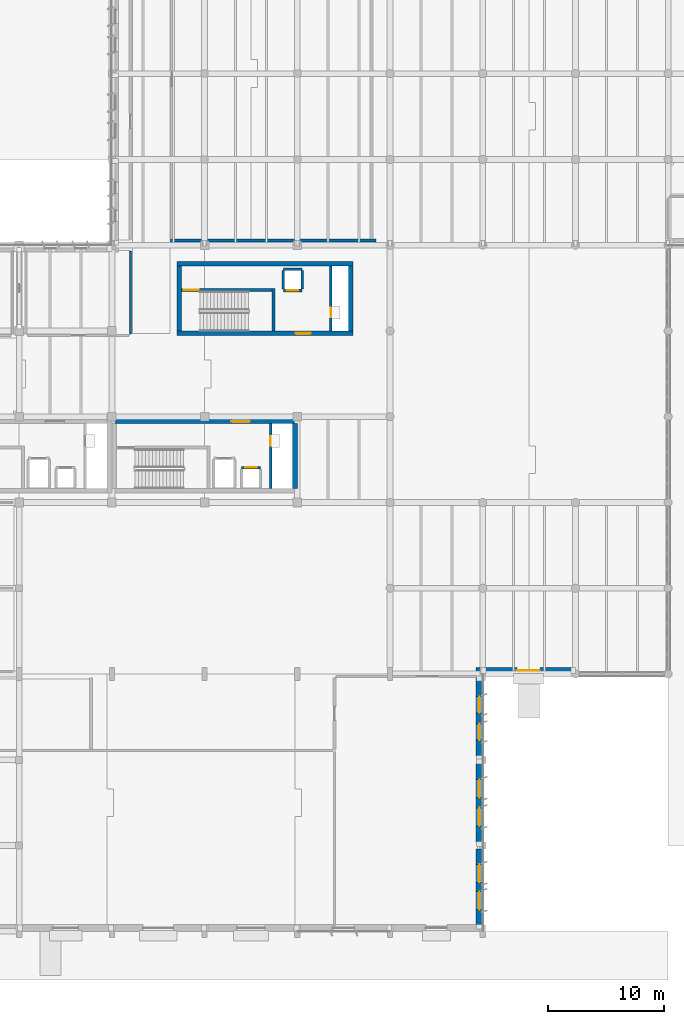
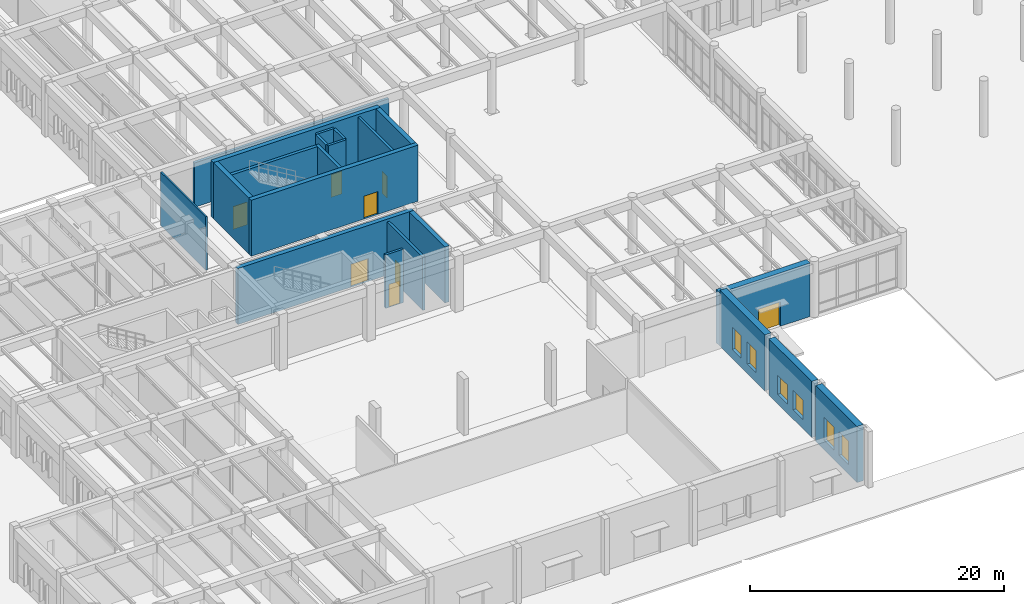
# One storey, part 19 of 56: 21 walls, 8 doors, 6 windows, 14 openings.
"""IFC4 building model written with IfcOpenShell, lengths in metres."""

from ifc_helpers import new_model, si_unit, direction, frame, frame_2d, origin, place, context, subcontext, project, spatial, rectangle, extrude, material, layer, layer_set, type_object, element, fill, save


model = new_model("IFC4")

# Units and contexts
model_context = context("Model", 3, precision=1e-05, world=origin(), true_north=direction((0.0, 1.0)))
body_context = subcontext(model_context, "Body", "Model", "MODEL_VIEW")
ifc_project = project(units=[si_unit("LENGTHUNIT", "METRE"), si_unit("AREAUNIT", "SQUARE_METRE"), si_unit("VOLUMEUNIT", "CUBIC_METRE"), si_unit("PLANEANGLEUNIT", "RADIAN"), si_unit("MASSUNIT", "GRAM", prefix="KILO")], contexts=[model_context])

# Site, building, storey
site_placement = place(None, origin())
site = spatial("IfcSite", under=ifc_project, at=site_placement, CompositionType="ELEMENT")
building_placement = place(site_placement, origin())
building = spatial("IfcBuilding", under=site, at=building_placement, Name="Valkorina Park Police Headquarters", CompositionType="ELEMENT")
storey_placement = place(building_placement, origin())
storey = spatial("IfcBuildingStorey", under=building, at=storey_placement, Name="L01", CompositionType="ELEMENT", Elevation=0.0)

# Wall
ifc_material_1 = material(Name="Acoustic mineral board")
ifc_layer_1 = layer(ifc_material_1, 0.14990234375)
ifc_layer_set_1 = layer_set([ifc_layer_1], Name="Acoustic mineral board")
wall_type_1 = type_object("IfcWallType", Name="WL-ACOUST-150-EI30", PredefinedType="PARTITIONING", material=ifc_layer_set_1)
wall_1_placement = place(storey_placement, frame((34.39990234375, 51.5400390625, 0.0), z_axis=(0.0, 0.0, 1.0), x_axis=(0.0, 1.0, 0.0)))
element("IfcWall", 1, at=wall_1_placement, inside=storey, type_object=wall_type_1, Name="L01 Interior Partition 0070 (L01-OPS-02)", PredefinedType="PARTITIONING", context=body_context, shape_type="SweptSolid", body=[
    extrude(rectangle(XDim=7.119873046875, YDim=0.14990234375, at=frame_2d((3.56005859375, 0.0))), origin(), (0.0, 0.0, 1.0), 5.139892578125),
])

# Wall, opening, door
ifc_material_2 = material(Name="Autoclaved aerated concrete masonry", Category="masonry")
ifc_layer_2 = layer(ifc_material_2, 0.219970703125)
ifc_layer_set_2 = layer_set([ifc_layer_2], Name="Autoclaved aerated concrete masonry")
wall_type_2 = type_object("IfcWallType", Name="WL-CHASE-220-EI60", PredefinedType="PLUMBINGWALL", material=ifc_layer_set_2)
wall_2_placement = place(storey_placement, frame((43.989990234375, 40.010009765625, 0.0), z_axis=(0.0, 0.0, 1.0), x_axis=(1.0, 0.0, 0.0)))
wall_2 = element("IfcWall", 2, at=wall_2_placement, inside=storey, type_object=wall_type_2, Name="Lift LF-04 L01 Shaft Front Wall", PredefinedType="PLUMBINGWALL", context=body_context, shape_type="SweptSolid", body=[
    extrude(rectangle(XDim=1.6201171875, YDim=0.219970703125, at=frame_2d((0.81005859375, 0.0))), origin(), (0.0, 0.0, 1.0), 5.139892578125),
])
opening_1_placement = place(wall_2_placement, frame((0.31005859375, 0.0, 0.0)))
opening_1 = element("IfcOpeningElement", 3, at=opening_1_placement, cuts=wall_2, Name="Opening LD-02", PredefinedType="OPENING", context=body_context, shape_type="SweptSolid", body=[
    extrude(rectangle(XDim=1.0, YDim=2.199951171875, at=frame_2d((0.5, 1.10009765625))), frame((0.0, 0.1201171875, 0.0), z_axis=(0.0, -1.0, 0.0), x_axis=(1.0, 0.0, 0.0)), (0.0, 0.0, 1.0), 0.239990234375),
])
ifc_material_3 = material(Name="Stainless steel EN 1.4404", Category="steel")
ifc_layer_3 = layer(ifc_material_3, 0.050048828125)
ifc_layer_set_3 = layer_set([ifc_layer_3], Name="Stainless steel EN 1.4404")
door_type_1 = type_object("IfcDoorType", Name="DR-LIFT-PAX-1000x2200", OperationType="NOTDEFINED", PredefinedType="DOOR", material=ifc_layer_set_3)
door_1_placement = place(opening_1_placement, origin())
door_1 = element("IfcDoor", 4, at=door_1_placement, inside=storey, type_object=door_type_1, Name="Lift Landing Door LF-04-L01", OperationType="DOUBLE_DOOR_SLIDING", OverallHeight=2.199951171875, OverallWidth=1.0, PredefinedType="DOOR", context=body_context, shape_type="SweptSolid", body=[
    extrude(rectangle(XDim=1.0, YDim=2.199951171875, at=frame_2d((0.5, 1.10009765625))), frame((0.0, 0.02490234375, 0.0), z_axis=(0.0, -1.0, 0.0), x_axis=(1.0, 0.0, 0.0)), (0.0, 0.0, 1.0), 0.050048828125),
])
fill(opening_1, door_1)

wall_3_placement = place(storey_placement, frame((46.489990234375, 38.199951171875, 0.0), z_axis=(0.0, 0.0, 1.0), x_axis=(0.0, 1.0, 0.0)))
wall_3 = element("IfcWall", 5, at=wall_3_placement, inside=storey, type_object=wall_type_2, Name="Core C2 L01 Riser Shaft West Wall", PredefinedType="PLUMBINGWALL", context=body_context, shape_type="SweptSolid", body=[
    extrude(rectangle(XDim=5.60009765625, YDim=0.219970703125, at=frame_2d((2.800048828125, 0.0))), origin(), (0.0, 0.0, 1.0), 5.139892578125),
])
opening_2_placement = place(wall_3_placement, frame((3.699951171875, 0.0, 0.0)))
opening_2 = element("IfcOpeningElement", 6, at=opening_2_placement, cuts=wall_3, Name="Opening ID-01", PredefinedType="OPENING", context=body_context, shape_type="SweptSolid", body=[
    extrude(rectangle(XDim=0.800048828125, YDim=2.10009765625, at=frame_2d((0.39990234375, 1.050048828125))), frame((0.0, 0.1201171875, 0.0), z_axis=(0.0, -1.0, 0.0), x_axis=(1.0, 0.0, 0.0)), (0.0, 0.0, 1.0), 0.239990234375),
])
ifc_material_4 = material(Name="Galvanized steel door leaf", Category="steel")
ifc_layer_4 = layer(ifc_material_4, 0.050048828125)
ifc_layer_set_4 = layer_set([ifc_layer_4], Name="Galvanized steel door leaf")
door_type_2 = type_object("IfcDoorType", Name="DR-INT-RISER-800x2100", OperationType="NOTDEFINED", PredefinedType="DOOR", material=ifc_layer_set_4)
door_2_placement = place(opening_2_placement, origin())
door_2 = element("IfcDoor", 7, at=door_2_placement, inside=storey, type_object=door_type_2, Name="Riser Shaft Access Door C2-L01", OperationType="SINGLE_SWING_LEFT", OverallHeight=2.10009765625, OverallWidth=0.800048828125, PredefinedType="DOOR", context=body_context, shape_type="SweptSolid", body=[
    extrude(rectangle(XDim=0.800048828125, YDim=2.10009765625, at=frame_2d((0.39990234375, 1.050048828125))), frame((0.0, 0.02490234375, 0.0), z_axis=(0.0, -1.0, 0.0), x_axis=(1.0, 0.0, 0.0)), (0.0, 0.0, 1.0), 0.050048828125),
])
fill(opening_2, door_2)

wall_4_placement = place(storey_placement, frame((47.590087890625, 55.2900390625, 0.0), z_axis=(0.0, 0.0, 1.0), x_axis=(1.0, 0.0, 0.0)))
wall_4 = element("IfcWall", 8, at=wall_4_placement, inside=storey, type_object=wall_type_2, Name="Lift LF-05 L01 Shaft Front Wall", PredefinedType="PLUMBINGWALL", context=body_context, shape_type="SweptSolid", body=[
    extrude(rectangle(XDim=1.619873046875, YDim=0.219970703125, at=frame_2d((0.81005859375, 0.0))), origin(), (0.0, 0.0, 1.0), 5.139892578125),
])
opening_3_placement = place(wall_4_placement, frame((0.31005859375, 0.0, 0.0)))
opening_3 = element("IfcOpeningElement", 9, at=opening_3_placement, cuts=wall_4, Name="Opening LD-02", PredefinedType="OPENING", context=body_context, shape_type="SweptSolid", body=[
    extrude(rectangle(XDim=1.0, YDim=2.199951171875, at=frame_2d((0.5, 1.10009765625))), frame((0.0, 0.1201171875, 0.0), z_axis=(0.0, -1.0, 0.0), x_axis=(1.0, 0.0, 0.0)), (0.0, 0.0, 1.0), 0.239990234375),
])
door_3_placement = place(opening_3_placement, origin())
door_3 = element("IfcDoor", 10, at=door_3_placement, inside=storey, type_object=door_type_1, Name="Lift Landing Door LF-05-L01", OperationType="DOUBLE_DOOR_SLIDING", OverallHeight=2.199951171875, OverallWidth=1.0, PredefinedType="DOOR", context=body_context, shape_type="SweptSolid", body=[
    extrude(rectangle(XDim=1.0, YDim=2.199951171875, at=frame_2d((0.5, 1.10009765625))), frame((0.0, 0.02490234375, 0.0), z_axis=(0.0, -1.0, 0.0), x_axis=(1.0, 0.0, 0.0)), (0.0, 0.0, 1.0), 0.050048828125),
])
fill(opening_3, door_3)

# Walls
wall_5_placement = place(storey_placement, frame((47.590087890625, 57.110107421875, 0.0), z_axis=(0.0, 0.0, 1.0), x_axis=(1.0, 0.0, 0.0)))
element("IfcWall", 11, at=wall_5_placement, inside=storey, type_object=wall_type_2, Name="Lift LF-05 L01 Shaft Back Wall", PredefinedType="PLUMBINGWALL", context=body_context, shape_type="SweptSolid", body=[
    extrude(rectangle(XDim=1.619873046875, YDim=0.219970703125, at=frame_2d((0.81005859375, 0.0))), origin(), (0.0, 0.0, 1.0), 5.139892578125),
])
for number, where, z_axis, x_axis, name in (
    (12, (47.590087890625, 55.39990234375, 0.0), (0.0, 0.0, 1.0), (0.0, 1.0, 0.0), "Lift LF-05 L01 Shaft Side Wall W"),
    (13, (49.2099609375, 55.39990234375, 0.0), (0.0, 0.0, 1.0), (0.0, 1.0, 0.0), "Lift LF-05 L01 Shaft Side Wall E"),
):
    element("IfcWall", number, at=place(storey_placement, frame(where, z_axis=z_axis, x_axis=x_axis)), inside=storey, type_object=wall_type_2, Name=name, PredefinedType="PLUMBINGWALL", context=body_context, shape_type="SweptSolid", body=[
        extrude(rectangle(XDim=1.60009765625, YDim=0.219970703125, at=frame_2d((0.800048828125, 0.0))), origin(), (0.0, 0.0, 1.0), 5.139892578125),
    ])

# Wall, opening, door
wall_6_placement = place(storey_placement, frame((51.68994140625, 51.800048828125, 0.0), z_axis=(0.0, 0.0, 1.0), x_axis=(0.0, 1.0, 0.0)))
wall_6 = element("IfcWall", 14, at=wall_6_placement, inside=storey, type_object=wall_type_2, Name="Core C3 L01 Riser Shaft West Wall", PredefinedType="PLUMBINGWALL", context=body_context, shape_type="SweptSolid", body=[
    extrude(rectangle(XDim=5.599853515625, YDim=0.219970703125, at=frame_2d((2.7998046875, 0.0))), origin(), (0.0, 0.0, 1.0), 5.139892578125),
])
opening_4_placement = place(wall_6_placement, frame((1.199951171875, 0.0, 0.0)))
opening_4 = element("IfcOpeningElement", 15, at=opening_4_placement, cuts=wall_6, Name="Opening ID-01", PredefinedType="OPENING", context=body_context, shape_type="SweptSolid", body=[
    extrude(rectangle(XDim=0.800048828125, YDim=2.10009765625, at=frame_2d((0.39990234375, 1.050048828125))), frame((0.0, 0.1201171875, 0.0), z_axis=(0.0, -1.0, 0.0), x_axis=(1.0, 0.0, 0.0)), (0.0, 0.0, 1.0), 0.239990234375),
])
door_4_placement = place(opening_4_placement, origin())
door_4 = element("IfcDoor", 16, at=door_4_placement, inside=storey, type_object=door_type_2, Name="Riser Shaft Access Door C3-L01", OperationType="SINGLE_SWING_RIGHT", OverallHeight=2.10009765625, OverallWidth=0.800048828125, PredefinedType="DOOR", context=body_context, shape_type="SweptSolid", body=[
    extrude(rectangle(XDim=0.800048828125, YDim=2.10009765625, at=frame_2d((0.39990234375, 1.050048828125))), frame((0.0, 0.02490234375, 0.0), z_axis=(0.0, -1.0, 0.0), x_axis=(1.0, 0.0, 0.0)), (0.0, 0.0, 1.0), 0.050048828125),
])
fill(opening_4, door_4)

ifc_material_5 = material(Name="Concrete C40/50", Category="concrete")
ifc_layer_5 = layer(ifc_material_5, 0.39990234375)
ifc_layer_set_5 = layer_set([ifc_layer_5], Name="Concrete C40/50")
wall_type_3 = type_object("IfcWallType", Name="WL-CORE-400-REI180", PredefinedType="SHEAR", material=ifc_layer_set_5)
wall_7_placement = place(storey_placement, frame((32.800048828125, 44.0, 0.0), z_axis=(0.0, 0.0, 1.0), x_axis=(1.0, 0.0, 0.0)))
wall_7 = element("IfcWall", 17, at=wall_7_placement, inside=storey, type_object=wall_type_3, Name="Core C2 L01 Shear Wall N", PredefinedType="SHEAR", context=body_context, shape_type="SweptSolid", body=[
    extrude(rectangle(XDim=16.0, YDim=0.39990234375, at=frame_2d((8.0, 0.0))), origin(), (0.0, 0.0, 1.0), 5.39501953125),
])
opening_5_placement = place(wall_7_placement, frame((10.300048828125, 0.0, 0.0)))
opening_5 = element("IfcOpeningElement", 18, at=opening_5_placement, cuts=wall_7, Name="Opening FD-04", PredefinedType="OPENING", context=body_context, shape_type="SweptSolid", body=[
    extrude(rectangle(XDim=1.60009765625, YDim=2.199951171875, at=frame_2d((0.800048828125, 1.10009765625))), frame((0.0, 0.2099609375, 0.0), z_axis=(0.0, -1.0, 0.0), x_axis=(1.0, 0.0, 0.0)), (0.0, 0.0, 1.0), 0.419921875),
])
ifc_layer_6 = layer(ifc_material_4, 0.050048828125)
ifc_layer_set_6 = layer_set([ifc_layer_6], Name="Galvanized steel door leaf")
door_type_3 = type_object("IfcDoorType", Name="DR-FIRE-FFL-1600x2200", OperationType="NOTDEFINED", PredefinedType="DOOR", material=ifc_layer_set_6)
door_5_placement = place(opening_5_placement, origin())
door_5 = element("IfcDoor", 19, at=door_5_placement, inside=storey, type_object=door_type_3, Name="Door D-L01-FFL-C2 (Firefighting Lift Lobby Door)", OperationType="DOUBLE_DOOR_SINGLE_SWING", OverallHeight=2.199951171875, OverallWidth=1.60009765625, PredefinedType="DOOR", context=body_context, shape_type="SweptSolid", body=[
    extrude(rectangle(XDim=1.60009765625, YDim=2.199951171875, at=frame_2d((0.800048828125, 1.10009765625))), frame((0.0, 0.02490234375, 0.0), z_axis=(0.0, -1.0, 0.0), x_axis=(1.0, 0.0, 0.0)), (0.0, 0.0, 1.0), 0.050048828125),
])
fill(opening_5, door_5)

# Wall
wall_8_placement = place(storey_placement, frame((48.60009765625, 38.199951171875, 0.0), z_axis=(0.0, 0.0, 1.0), x_axis=(0.0, 1.0, 0.0)))
element("IfcWall", 20, at=wall_8_placement, inside=storey, type_object=wall_type_3, Name="Core C2 L01 Shear Wall E", PredefinedType="SHEAR", context=body_context, shape_type="SweptSolid", body=[
    extrude(rectangle(XDim=5.60009765625, YDim=0.39990234375, at=frame_2d((2.800048828125, 0.0))), origin(), (0.0, 0.0, 1.0), 5.39501953125),
])

# Wall, opening, door
wall_9_placement = place(storey_placement, frame((38.39990234375, 51.60009765625, 0.0), z_axis=(0.0, 0.0, 1.0), x_axis=(1.0, 0.0, 0.0)))
wall_9 = element("IfcWall", 21, at=wall_9_placement, inside=storey, type_object=wall_type_3, Name="Core C3 L01 Shear Wall S", PredefinedType="SHEAR", context=body_context, shape_type="SweptSolid", body=[
    extrude(rectangle(XDim=15.2001953125, YDim=0.39990234375, at=frame_2d((7.60009765625, 0.0))), origin(), (0.0, 0.0, 1.0), 5.39501953125),
])
opening_6_placement = place(wall_9_placement, frame((10.25, 0.0, 0.0)))
opening_6 = element("IfcOpeningElement", 22, at=opening_6_placement, cuts=wall_9, Name="Opening FD-03", PredefinedType="OPENING", context=body_context, shape_type="SweptSolid", body=[
    extrude(rectangle(XDim=1.300048828125, YDim=2.199951171875, at=frame_2d((0.64990234375, 1.10009765625))), frame((0.0, 0.2099609375, 0.0), z_axis=(0.0, -1.0, 0.0), x_axis=(1.0, 0.0, 0.0)), (0.0, 0.0, 1.0), 0.419921875),
])
ifc_layer_7 = layer(ifc_material_4, 0.050048828125)
ifc_layer_set_7 = layer_set([ifc_layer_7], Name="Galvanized steel door leaf")
door_type_4 = type_object("IfcDoorType", Name="DR-FIRE-STAIR-1300x2200", OperationType="NOTDEFINED", PredefinedType="DOOR", material=ifc_layer_set_7)
door_6_placement = place(opening_6_placement, origin())
door_6 = element("IfcDoor", 23, at=door_6_placement, inside=storey, type_object=door_type_4, Name="Door D-L01-LBY-C3 (Core C3 Lobby Fire Door)", OperationType="SINGLE_SWING_LEFT", OverallHeight=2.199951171875, OverallWidth=1.300048828125, PredefinedType="DOOR", context=body_context, shape_type="SweptSolid", body=[
    extrude(rectangle(XDim=1.300048828125, YDim=2.199951171875, at=frame_2d((0.64990234375, 1.10009765625))), frame((0.0, 0.02490234375, 0.0), z_axis=(0.0, -1.0, 0.0), x_axis=(1.0, 0.0, 0.0)), (0.0, 0.0, 1.0), 0.050048828125),
])
fill(opening_6, door_6)

# Walls
wall_10_placement = place(storey_placement, frame((38.39990234375, 57.60009765625, 0.0), z_axis=(0.0, 0.0, 1.0), x_axis=(1.0, 0.0, 0.0)))
element("IfcWall", 24, at=wall_10_placement, inside=storey, type_object=wall_type_3, Name="Core C3 L01 Shear Wall N", PredefinedType="SHEAR", context=body_context, shape_type="SweptSolid", body=[
    extrude(rectangle(XDim=15.2001953125, YDim=0.39990234375, at=frame_2d((7.60009765625, 0.0))), origin(), (0.0, 0.0, 1.0), 5.39501953125),
])
for number, where, z_axis, x_axis, name in (
    (25, (38.60009765625, 51.800048828125, 0.0), (0.0, 0.0, 1.0), (0.0, 1.0, 0.0), "Core C3 L01 Shear Wall W"),
    (26, (53.39990234375, 51.800048828125, 0.0), (0.0, 0.0, 1.0), (0.0, 1.0, 0.0), "Core C3 L01 Shear Wall E"),
):
    element("IfcWall", number, at=place(storey_placement, frame(where, z_axis=z_axis, x_axis=x_axis)), inside=storey, type_object=wall_type_3, Name=name, PredefinedType="SHEAR", context=body_context, shape_type="SweptSolid", body=[
        extrude(rectangle(XDim=5.599853515625, YDim=0.39990234375, at=frame_2d((2.7998046875, 0.0))), origin(), (0.0, 0.0, 1.0), 5.39501953125),
    ])
ifc_layer_8 = layer(ifc_material_5, 0.25)
ifc_layer_set_8 = layer_set([ifc_layer_8], Name="Concrete C40/50")
wall_type_4 = type_object("IfcWallType", Name="WL-CUST-250-REI120", PredefinedType="SOLIDWALL", material=ifc_layer_set_8)
wall_11_placement = place(storey_placement, frame((37.875, 59.60009765625, 0.0), z_axis=(0.0, 0.0, 1.0), x_axis=(1.0, 0.0, 0.0)))
element("IfcWall", 27, at=wall_11_placement, inside=storey, type_object=wall_type_4, Name="L01 Interior Partition 0081 (L01-CUS-07)", PredefinedType="SOLIDWALL", context=body_context, shape_type="SweptSolid", body=[
    extrude(rectangle(XDim=17.715087890625, YDim=0.25, at=frame_2d((8.857421875, 0.0))), origin(), (0.0, 0.0, 1.0), 4.27001953125),
])

# Wall, opening, door
ifc_material_6 = material(Name="Concrete C35/45", Category="concrete")
ifc_layer_9 = layer(ifc_material_6, 0.580078125)
ifc_layer_set_9 = layer_set([ifc_layer_9], Name="Concrete C35/45")
wall_type_5 = type_object("IfcWallType", Name="WL-EXT-BOARD-580", PredefinedType="STANDARD", material=ifc_layer_set_9)
wall_12_placement = place(storey_placement, frame((72.43994140625, 22.489990234375, 0.0), z_axis=(0.0, 0.0, 1.0), x_axis=(-1.0, 0.0, 0.0)))
wall_12 = element("IfcWall", 28, at=wall_12_placement, inside=storey, type_object=wall_type_5, Name="L01 Architectural Concrete Exterior Wall 0083", PredefinedType="STANDARD", context=body_context, shape_type="SweptSolid", body=[
    extrude(rectangle(XDim=8.219970703125, YDim=0.580078125, at=frame_2d((4.10986328125, 0.0))), origin(), (0.0, 0.0, 1.0), 5.139892578125),
])
opening_7_placement = place(wall_12_placement, frame((2.702392578125, 0.0, 0.0)))
opening_7 = element("IfcOpeningElement", 29, at=opening_7_placement, cuts=wall_12, Name="Opening ED-02", PredefinedType="OPENING", context=body_context, shape_type="SweptSolid", body=[
    extrude(rectangle(XDim=2.0, YDim=2.35009765625, at=frame_2d((1.0, 1.175048828125))), frame((0.0, 0.300048828125, 0.0), z_axis=(0.0, -1.0, 0.0), x_axis=(1.0, 0.0, 0.0)), (0.0, 0.0, 1.0), 0.60009765625),
])
ifc_material_7 = material(Name="Thermally broken aluminium AW-6060", Category="aluminium")
ifc_layer_10 = layer(ifc_material_7, 0.050048828125)
ifc_layer_set_10 = layer_set([ifc_layer_10], Name="Thermally broken aluminium AW-6060")
door_type_5 = type_object("IfcDoorType", Name="DR-EXT-EXIT-2000x2350", OperationType="NOTDEFINED", PredefinedType="DOOR", material=ifc_layer_set_10)
door_7_placement = place(opening_7_placement, origin())
door_7 = element("IfcDoor", 30, at=door_7_placement, inside=storey, type_object=door_type_5, Name="Door D-L01-014 (Final Pedestrian Exit)", OperationType="DOUBLE_DOOR_SINGLE_SWING", OverallHeight=2.35009765625, OverallWidth=2.0, PredefinedType="DOOR", context=body_context, shape_type="SweptSolid", body=[
    extrude(rectangle(XDim=2.0, YDim=2.35009765625, at=frame_2d((1.0, 1.175048828125))), frame((0.0, 0.02490234375, 0.0), z_axis=(0.0, -1.0, 0.0), x_axis=(1.0, 0.0, 0.0)), (0.0, 0.0, 1.0), 0.050048828125),
])
fill(opening_7, door_7)

# Wall, openings, windows
wall_13_placement = place(storey_placement, frame((64.510009765625, 22.199951171875, 0.0), z_axis=(0.0, 0.0, 1.0), x_axis=(0.0, -1.0, 0.0)))
wall_13 = element("IfcWall", 31, at=wall_13_placement, inside=storey, type_object=wall_type_5, Name="L01 Architectural Concrete Exterior Wall 0084", PredefinedType="STANDARD", context=body_context, shape_type="SweptSolid", body=[
    extrude(rectangle(XDim=7.08984375, YDim=0.580078125, at=frame_2d((3.544921875, 0.0))), origin(), (0.0, 0.0, 1.0), 5.39990234375),
])
opening_8_placement = place(wall_13_placement, frame((1.94970703125, 0.0, 0.89990234375)))
opening_8 = element("IfcOpeningElement", 32, at=opening_8_placement, cuts=wall_13, Name="Opening WN-25", PredefinedType="OPENING", context=body_context, shape_type="SweptSolid", body=[
    extrude(rectangle(XDim=1.39990234375, YDim=2.14990234375, at=frame_2d((0.699951171875, 1.074951171875))), frame((0.0, 0.300048828125, 0.0), z_axis=(0.0, -1.0, 0.0), x_axis=(1.0, 0.0, 0.0)), (0.0, 0.0, 1.0), 0.60009765625),
])
opening_9_placement = place(wall_13_placement, frame((4.30029296875, 0.0, 0.89990234375)))
opening_9 = element("IfcOpeningElement", 33, at=opening_9_placement, cuts=wall_13, Name="Opening WN-25", PredefinedType="OPENING", context=body_context, shape_type="SweptSolid", body=[
    extrude(rectangle(XDim=1.39990234375, YDim=2.14990234375, at=frame_2d((0.699951171875, 1.074951171875))), frame((0.0, 0.300048828125, 0.0), z_axis=(0.0, -1.0, 0.0), x_axis=(1.0, 0.0, 0.0)), (0.0, 0.0, 1.0), 0.60009765625),
])
ifc_material_8 = material(Name="Triple low-E insulated glazing", Category="glass")
ifc_layer_11 = layer(ifc_material_8, 0.06005859375)
ifc_layer_set_11 = layer_set([ifc_layer_11], Name="Triple low-E insulated glazing")
window_type_1 = type_object("IfcWindowType", Name="WN-LAB-1400x2150", PartitioningType="SINGLE_PANEL", PredefinedType="WINDOW", material=ifc_layer_set_11)
window_1_placement = place(opening_8_placement, origin())
window_1 = element("IfcWindow", 34, at=window_1_placement, inside=storey, type_object=window_type_1, Name="Window L01-0133", OverallHeight=2.14990234375, OverallWidth=1.39990234375, PartitioningType="SINGLE_PANEL", PredefinedType="WINDOW", context=body_context, shape_type="SweptSolid", body=[
    extrude(rectangle(XDim=1.39990234375, YDim=2.14990234375, at=frame_2d((0.699951171875, 1.074951171875))), frame((0.0, 0.030029296875, 0.0), z_axis=(0.0, -1.0, 0.0), x_axis=(1.0, 0.0, 0.0)), (0.0, 0.0, 1.0), 0.06005859375),
])
fill(opening_8, window_1)
window_2_placement = place(opening_9_placement, origin())
window_2 = element("IfcWindow", 35, at=window_2_placement, inside=storey, type_object=window_type_1, Name="Window L01-0134", OverallHeight=2.14990234375, OverallWidth=1.39990234375, PartitioningType="SINGLE_PANEL", PredefinedType="WINDOW", context=body_context, shape_type="SweptSolid", body=[
    extrude(rectangle(XDim=1.39990234375, YDim=2.14990234375, at=frame_2d((0.699951171875, 1.074951171875))), frame((0.0, 0.030029296875, 0.0), z_axis=(0.0, -1.0, 0.0), x_axis=(1.0, 0.0, 0.0)), (0.0, 0.0, 1.0), 0.06005859375),
])
fill(opening_9, window_2)

wall_14_placement = place(storey_placement, frame((64.510009765625, 14.489990234375, 0.0), z_axis=(0.0, 0.0, 1.0), x_axis=(0.0, -1.0, 0.0)))
wall_14 = element("IfcWall", 36, at=wall_14_placement, inside=storey, type_object=wall_type_5, Name="L01 Architectural Concrete Exterior Wall 0085", PredefinedType="STANDARD", context=body_context, shape_type="SweptSolid", body=[
    extrude(rectangle(XDim=6.780029296875, YDim=0.580078125, at=frame_2d((3.39013671875, 0.0))), origin(), (0.0, 0.0, 1.0), 5.39990234375),
])
opening_10_placement = place(wall_14_placement, frame((1.39453125, 0.0, 0.89990234375)))
opening_10 = element("IfcOpeningElement", 37, at=opening_10_placement, cuts=wall_14, Name="Opening WN-26", PredefinedType="OPENING", context=body_context, shape_type="SweptSolid", body=[
    extrude(rectangle(XDim=1.550048828125, YDim=1.85009765625, at=frame_2d((0.77490234375, 0.925048828125))), frame((0.0, 0.300048828125, 0.0), z_axis=(0.0, -1.0, 0.0), x_axis=(1.0, 0.0, 0.0)), (0.0, 0.0, 1.0), 0.60009765625),
])
opening_11_placement = place(wall_14_placement, frame((3.83544921875, 0.0, 0.89990234375)))
opening_11 = element("IfcOpeningElement", 38, at=opening_11_placement, cuts=wall_14, Name="Opening WN-26", PredefinedType="OPENING", context=body_context, shape_type="SweptSolid", body=[
    extrude(rectangle(XDim=1.550048828125, YDim=1.85009765625, at=frame_2d((0.77490234375, 0.925048828125))), frame((0.0, 0.300048828125, 0.0), z_axis=(0.0, -1.0, 0.0), x_axis=(1.0, 0.0, 0.0)), (0.0, 0.0, 1.0), 0.60009765625),
])
ifc_layer_12 = layer(ifc_material_8, 0.06005859375)
ifc_layer_set_12 = layer_set([ifc_layer_12], Name="Triple low-E insulated glazing")
window_type_2 = type_object("IfcWindowType", Name="WN-COURT-1550x1850", PartitioningType="SINGLE_PANEL", PredefinedType="WINDOW", material=ifc_layer_set_12)
window_3_placement = place(opening_10_placement, origin())
window_3 = element("IfcWindow", 39, at=window_3_placement, inside=storey, type_object=window_type_2, Name="Window L01-0135", OverallHeight=1.85009765625, OverallWidth=1.550048828125, PartitioningType="SINGLE_PANEL", PredefinedType="WINDOW", context=body_context, shape_type="SweptSolid", body=[
    extrude(rectangle(XDim=1.550048828125, YDim=1.85009765625, at=frame_2d((0.77490234375, 0.925048828125))), frame((0.0, 0.030029296875, 0.0), z_axis=(0.0, -1.0, 0.0), x_axis=(1.0, 0.0, 0.0)), (0.0, 0.0, 1.0), 0.06005859375),
])
fill(opening_10, window_3)
window_4_placement = place(opening_11_placement, origin())
window_4 = element("IfcWindow", 40, at=window_4_placement, inside=storey, type_object=window_type_2, Name="Window L01-0136", OverallHeight=1.85009765625, OverallWidth=1.550048828125, PartitioningType="SINGLE_PANEL", PredefinedType="WINDOW", context=body_context, shape_type="SweptSolid", body=[
    extrude(rectangle(XDim=1.550048828125, YDim=1.85009765625, at=frame_2d((0.77490234375, 0.925048828125))), frame((0.0, 0.030029296875, 0.0), z_axis=(0.0, -1.0, 0.0), x_axis=(1.0, 0.0, 0.0)), (0.0, 0.0, 1.0), 0.06005859375),
])
fill(opening_11, window_4)

wall_15_placement = place(storey_placement, frame((64.510009765625, 7.090087890625, 0.0), z_axis=(0.0, 0.0, 1.0), x_axis=(0.0, -1.0, 0.0)))
wall_15 = element("IfcWall", 41, at=wall_15_placement, inside=storey, type_object=wall_type_5, Name="L01 Architectural Concrete Exterior Wall 0086", PredefinedType="STANDARD", context=body_context, shape_type="SweptSolid", body=[
    extrude(rectangle(XDim=6.530029296875, YDim=0.580078125, at=frame_2d((3.26513671875, 0.0))), origin(), (0.0, 0.0, 1.0), 5.39990234375),
])
opening_12_placement = place(wall_15_placement, frame((1.314697265625, 0.0, 0.89990234375)))
opening_12 = element("IfcOpeningElement", 42, at=opening_12_placement, cuts=wall_15, Name="Opening WN-27", PredefinedType="OPENING", context=body_context, shape_type="SweptSolid", body=[
    extrude(rectangle(XDim=1.550048828125, YDim=2.25, at=frame_2d((0.77490234375, 1.125))), frame((0.0, 0.300048828125, 0.0), z_axis=(0.0, -1.0, 0.0), x_axis=(1.0, 0.0, 0.0)), (0.0, 0.0, 1.0), 0.60009765625),
])
opening_13_placement = place(wall_15_placement, frame((3.665283203125, 0.0, 0.89990234375)))
opening_13 = element("IfcOpeningElement", 43, at=opening_13_placement, cuts=wall_15, Name="Opening WN-27", PredefinedType="OPENING", context=body_context, shape_type="SweptSolid", body=[
    extrude(rectangle(XDim=1.550048828125, YDim=2.25, at=frame_2d((0.77490234375, 1.125))), frame((0.0, 0.300048828125, 0.0), z_axis=(0.0, -1.0, 0.0), x_axis=(1.0, 0.0, 0.0)), (0.0, 0.0, 1.0), 0.60009765625),
])
ifc_layer_13 = layer(ifc_material_8, 0.06005859375)
ifc_layer_set_13 = layer_set([ifc_layer_13], Name="Triple low-E insulated glazing")
window_type_3 = type_object("IfcWindowType", Name="WN-COURT-1550x2250", PartitioningType="SINGLE_PANEL", PredefinedType="WINDOW", material=ifc_layer_set_13)
window_5_placement = place(opening_12_placement, origin())
window_5 = element("IfcWindow", 44, at=window_5_placement, inside=storey, type_object=window_type_3, Name="Window L01-0137", OverallHeight=2.25, OverallWidth=1.550048828125, PartitioningType="SINGLE_PANEL", PredefinedType="WINDOW", context=body_context, shape_type="SweptSolid", body=[
    extrude(rectangle(XDim=1.550048828125, YDim=2.25, at=frame_2d((0.77490234375, 1.125))), frame((0.0, 0.030029296875, 0.0), z_axis=(0.0, -1.0, 0.0), x_axis=(1.0, 0.0, 0.0)), (0.0, 0.0, 1.0), 0.06005859375),
])
fill(opening_12, window_5)
window_6_placement = place(opening_13_placement, origin())
window_6 = element("IfcWindow", 45, at=window_6_placement, inside=storey, type_object=window_type_3, Name="Window L01-0138", OverallHeight=2.25, OverallWidth=1.550048828125, PartitioningType="SINGLE_PANEL", PredefinedType="WINDOW", context=body_context, shape_type="SweptSolid", body=[
    extrude(rectangle(XDim=1.550048828125, YDim=2.25, at=frame_2d((0.77490234375, 1.125))), frame((0.0, 0.030029296875, 0.0), z_axis=(0.0, -1.0, 0.0), x_axis=(1.0, 0.0, 0.0)), (0.0, 0.0, 1.0), 0.06005859375),
])
fill(opening_13, window_6)

# Wall
ifc_layer_14 = layer(ifc_material_5, 0.280029296875)
ifc_layer_set_14 = layer_set([ifc_layer_14], Name="Concrete C40/50")
wall_type_6 = type_object("IfcWallType", Name="WL-STAIR-280-REI120", PredefinedType="SHEAR", material=ifc_layer_set_14)
wall_16_placement = place(storey_placement, frame((46.739990234375, 51.800048828125, 0.0), z_axis=(0.0, 0.0, 1.0), x_axis=(0.0, 1.0, 0.0)))
element("IfcWall", 46, at=wall_16_placement, inside=storey, type_object=wall_type_6, Name="Core C3 L01 Shear Wall DIV", PredefinedType="SHEAR", context=body_context, shape_type="SweptSolid", body=[
    extrude(rectangle(XDim=3.679931640625, YDim=0.280029296875, at=frame_2d((1.83984375, 0.0))), origin(), (0.0, 0.0, 1.0), 5.39501953125),
])

# Wall, opening, door
wall_17_placement = place(storey_placement, frame((38.800048828125, 55.340087890625, 0.0), z_axis=(0.0, 0.0, 1.0), x_axis=(1.0, 0.0, 0.0)))
wall_17 = element("IfcWall", 47, at=wall_17_placement, inside=storey, type_object=wall_type_6, Name="Core C3 L01 Shear Wall SIDE", PredefinedType="SHEAR", context=body_context, shape_type="SweptSolid", body=[
    extrude(rectangle(XDim=7.800048828125, YDim=0.280029296875, at=frame_2d((3.89990234375, 0.0))), origin(), (0.0, 0.0, 1.0), 5.39501953125),
])
opening_14_placement = place(wall_17_placement, frame((0.199951171875, 0.0, 0.0)))
opening_14 = element("IfcOpeningElement", 48, at=opening_14_placement, cuts=wall_17, Name="Opening FD-03", PredefinedType="OPENING", context=body_context, shape_type="SweptSolid", body=[
    extrude(rectangle(XDim=1.300048828125, YDim=2.199951171875, at=frame_2d((0.64990234375, 1.10009765625))), frame((0.0, 0.14990234375, 0.0), z_axis=(0.0, -1.0, 0.0), x_axis=(1.0, 0.0, 0.0)), (0.0, 0.0, 1.0), 0.300048828125),
])
door_8_placement = place(opening_14_placement, origin())
door_8 = element("IfcDoor", 49, at=door_8_placement, inside=storey, type_object=door_type_4, Name="Door D-L01-C095 (ST-03 Stair Fire Door)", OperationType="SINGLE_SWING_RIGHT", OverallHeight=2.199951171875, OverallWidth=1.300048828125, PredefinedType="DOOR", context=body_context, shape_type="SweptSolid", body=[
    extrude(rectangle(XDim=1.300048828125, YDim=2.199951171875, at=frame_2d((0.64990234375, 1.10009765625))), frame((0.0, 0.02490234375, 0.0), z_axis=(0.0, -1.0, 0.0), x_axis=(1.0, 0.0, 0.0)), (0.0, 0.0, 1.0), 0.050048828125),
])
fill(opening_14, door_8)

save(model, "model.ifc")
